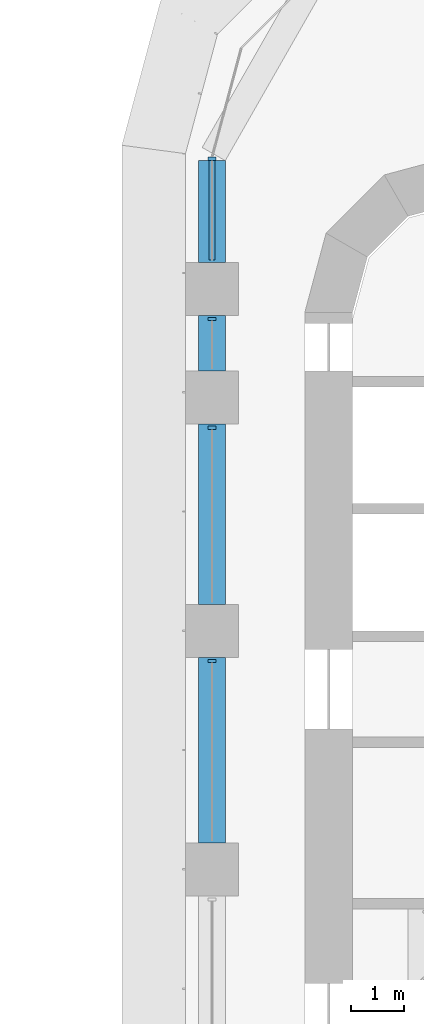
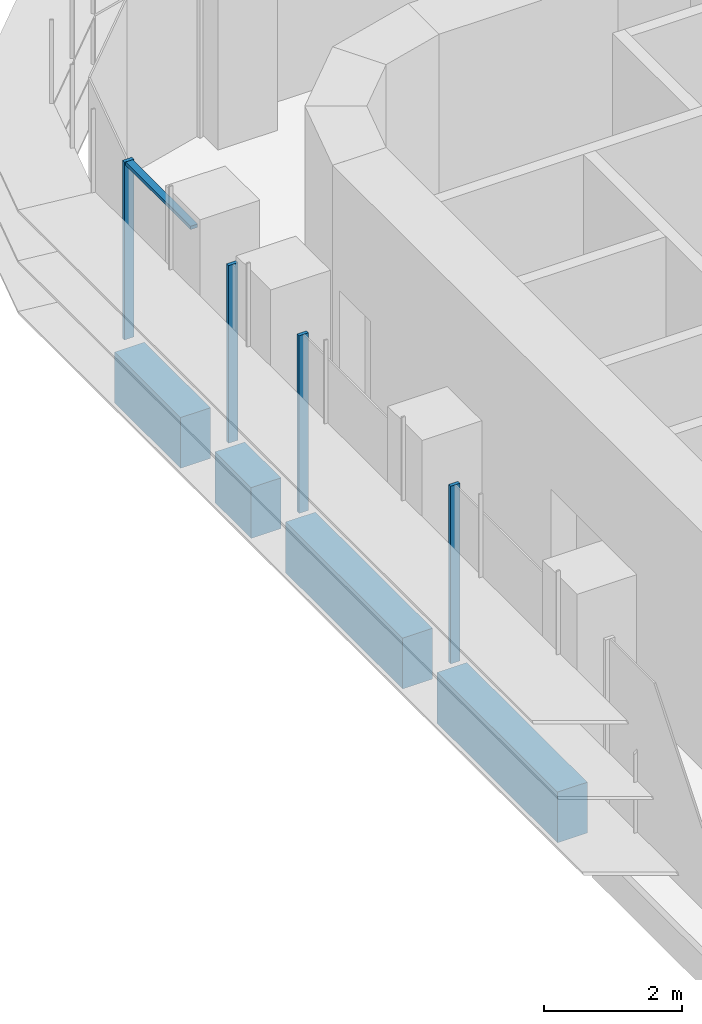
# One storey, part 7 of 23: 5 members, 4 beams, 1 element without a shape of its own.
"""IFC4 building model written with IfcOpenShell, lengths in metres."""

from ifc_helpers import new_model, si_unit, direction, frame, origin, origin_2d, place, context, subcontext, project, spatial, polyline, rectangle, outline, extrude, source, transform, mapped, material, material_profile, profile_set, type_object, element, aggregate, save


model = new_model("IFC4")

# Units and contexts
model_context = context("Model", 3, precision=1e-05, world=origin(), true_north=direction((0.0, 1.0)))
body_context = subcontext(model_context, "Body", "Model", "MODEL_VIEW")
ifc_project = project(units=[si_unit("LENGTHUNIT", "METRE"), si_unit("AREAUNIT", "SQUARE_METRE"), si_unit("VOLUMEUNIT", "CUBIC_METRE"), si_unit("PLANEANGLEUNIT", "RADIAN"), si_unit("MASSUNIT", "GRAM", prefix="KILO")], contexts=[model_context])

# Site, building, storey
site_placement = place(None, origin())
site = spatial("IfcSite", under=ifc_project, at=site_placement, CompositionType="ELEMENT")
building_placement = place(site_placement, origin())
building = spatial("IfcBuilding", under=site, at=building_placement, Name="Zarbagh Exchange Tower", CompositionType="ELEMENT")
storey_placement = place(building_placement, frame((0.0, 0.0, 73.199951171875)))
storey = spatial("IfcBuildingStorey", under=building, at=storey_placement, Name="L16", CompositionType="ELEMENT", Elevation=73.199951171875)

# Beams
ifc_material_1 = material(Name="Concrete C60/75", Category="concrete")
ifc_material_profile = material_profile(ifc_material_1, rectangle(XDim=0.5, YDim=0.89990234375, at=origin_2d()), Name="RC spandrel beam 500 x 900 C60/75")
ifc_profile_set = profile_set([ifc_material_profile], Name="Concrete C60/75")
beam_type = type_object("IfcBeamType", Name="RC spandrel beam 500 x 900 C60/75", PredefinedType="SPANDREL", material=ifc_profile_set)
beam_1_placement = place(storey_placement, frame((-6.25, 16.25, -0.599853515625), z_axis=(0.0, 1.0, 0.0), x_axis=(-1.0, 0.0, 0.0)))
element("IfcBeam", 1, at=beam_1_placement, inside=storey, type_object=beam_type, Name="RC spandrel beam", PredefinedType="SPANDREL", context=body_context, shape_type="SweptSolid", body=[
    extrude(rectangle(XDim=0.5, YDim=0.89990234375, at=origin_2d()), origin(), (0.0, 0.0, 1.0), 3.5),
])
beam_2_placement = place(storey_placement, frame((-6.25, 20.75, -0.599853515625), z_axis=(0.0, 1.0, 0.0), x_axis=(-1.0, 0.0, 0.0)))
element("IfcBeam", 2, at=beam_2_placement, inside=storey, type_object=beam_type, Name="RC spandrel beam", PredefinedType="SPANDREL", context=body_context, shape_type="SweptSolid", body=[
    extrude(rectangle(XDim=0.5, YDim=0.89990234375, at=origin_2d()), origin(), (0.0, 0.0, 1.0), 3.39990234375),
])
beam_3_placement = place(storey_placement, frame((-6.25, 25.14990234375, -0.599853515625), z_axis=(0.0, 1.0, 0.0), x_axis=(-1.0, 0.0, 0.0)))
element("IfcBeam", 3, at=beam_3_placement, inside=storey, type_object=beam_type, Name="RC spandrel beam", PredefinedType="SPANDREL", context=body_context, shape_type="SweptSolid", body=[
    extrude(rectangle(XDim=0.5, YDim=0.89990234375, at=origin_2d()), origin(), (0.0, 0.0, 1.0), 1.050048828125),
])
beam_4_placement = place(storey_placement, frame((-6.25, 27.199951171875, -0.599853515625), z_axis=(0.0, 1.0, 0.0), x_axis=(-1.0, 0.0, 0.0)))
element("IfcBeam", 4, at=beam_4_placement, inside=storey, type_object=beam_type, Name="RC spandrel beam", PredefinedType="SPANDREL", context=body_context, shape_type="SweptSolid", body=[
    extrude(rectangle(XDim=0.5, YDim=0.89990234375, at=origin_2d()), origin(), (0.0, 0.0, 1.0), 1.91796875),
])

# Curtain wall, members
ifc_material_2 = material(Name="Anodised aluminium frame and glazing", Category="aluminium")
curtain_wall_type = type_object("IfcCurtainWallType", Name="CWA Ribbon glazing, lower zones", PredefinedType="NOTDEFINED", material=ifc_material_2)
curtain_wall_placement = place(storey_placement, origin())
curtain_wall = element("IfcCurtainWall", 5, at=curtain_wall_placement, inside=storey, type_object=curtain_wall_type, Name="CWA28 curtain wall", PredefinedType="NOTDEFINED")
ifc_material_3 = material(Name="Anodised aluminium frame", Category="aluminium")
member_type_1 = type_object("IfcMemberType", Name="MUA Mullion, anodised aluminium frame", PredefinedType="MULLION", material=ifc_material_3)
shared_shape_1 = source(origin(), body_context, "Body", "SweptSolid", [
    extrude(outline(polyline([(0.0, -0.080078125), (0.06005859375, -0.080078125), (0.06005859375, 0.080078125), (0.0, 0.080078125), (0.0, -0.080078125)])), origin(), (0.0, 0.0, 1.0), 3.14990234375),
])
placement = place(storey_placement, origin())
member_1 = element("IfcMember", 6, at=placement, type_object=member_type_1, Name="CWA28 mullion 1.1", PredefinedType="MULLION", context=body_context, shape_type="MappedRepresentation", body=[
    mapped(shared_shape_1, transform((-6.25, 29.18408203125, 0.0), x_axis=(0.0, -1.0, 0.0), y_axis=(1.0, 0.0, 0.0), z_axis=(0.0, 0.0, 1.0))),
])
member_2 = element("IfcMember", 7, at=placement, type_object=member_type_1, Name="CWA28 mullion 2.1", PredefinedType="MULLION", context=body_context, shape_type="MappedRepresentation", body=[
    mapped(shared_shape_1, transform((-6.25, 26.159912109375, 0.0), x_axis=(0.0, -1.0, 0.0), y_axis=(1.0, 0.0, 0.0), z_axis=(0.0, 0.0, 1.0))),
])
member_3 = element("IfcMember", 8, at=placement, type_object=member_type_1, Name="CWA28 mullion 3.1", PredefinedType="MULLION", context=body_context, shape_type="MappedRepresentation", body=[
    mapped(shared_shape_1, transform((-6.25, 24.10986328125, 0.0), x_axis=(0.0, -1.0, 0.0), y_axis=(1.0, 0.0, 0.0), z_axis=(0.0, 0.0, 1.0))),
])
member_4 = element("IfcMember", 9, at=placement, type_object=member_type_1, Name="CWA28 mullion 4.1", PredefinedType="MULLION", context=body_context, shape_type="MappedRepresentation", body=[
    mapped(shared_shape_1, transform((-6.25, 19.7099609375, 0.0), x_axis=(0.0, -1.0, 0.0), y_axis=(1.0, 0.0, 0.0), z_axis=(0.0, 0.0, 1.0))),
])
member_type_2 = type_object("IfcMemberType", Name="TRA Transom, anodised aluminium frame", PredefinedType="USERDEFINED", material=ifc_material_3)
shared_shape_2 = source(origin(), body_context, "Body", "SweptSolid", [
    extrude(outline(polyline([(-0.06005859375, -0.06005859375), (0.0, -0.06005859375), (0.0, 0.06005859375), (-0.06005859375, 0.06005859375), (-0.06005859375, -0.06005859375)])), origin(), (0.0, 0.0, 1.0), 1.88427734375),
])
member_5 = element("IfcMember", 10, at=placement, type_object=member_type_2, Name="CWA28 transom 1.1", ObjectType="TRANSOM", PredefinedType="USERDEFINED", context=body_context, shape_type="MappedRepresentation", body=[
    mapped(shared_shape_2, transform((-6.25, 29.124267578125, 3.150146484375), x_axis=(0.0, 0.0, 1.0), y_axis=(-1.0, 0.0, 0.0), z_axis=(0.0, -1.0, 0.0))),
])
aggregate(curtain_wall, [member_1, member_5, member_2, member_3, member_4])

save(model, "model.ifc")
